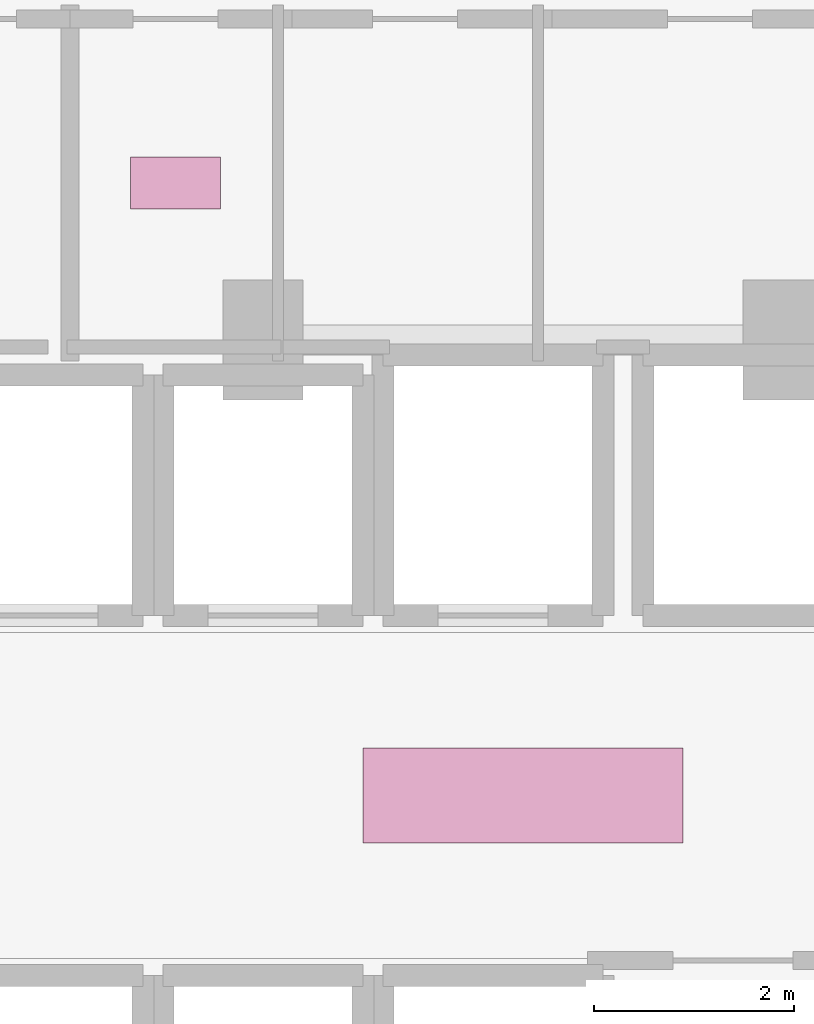
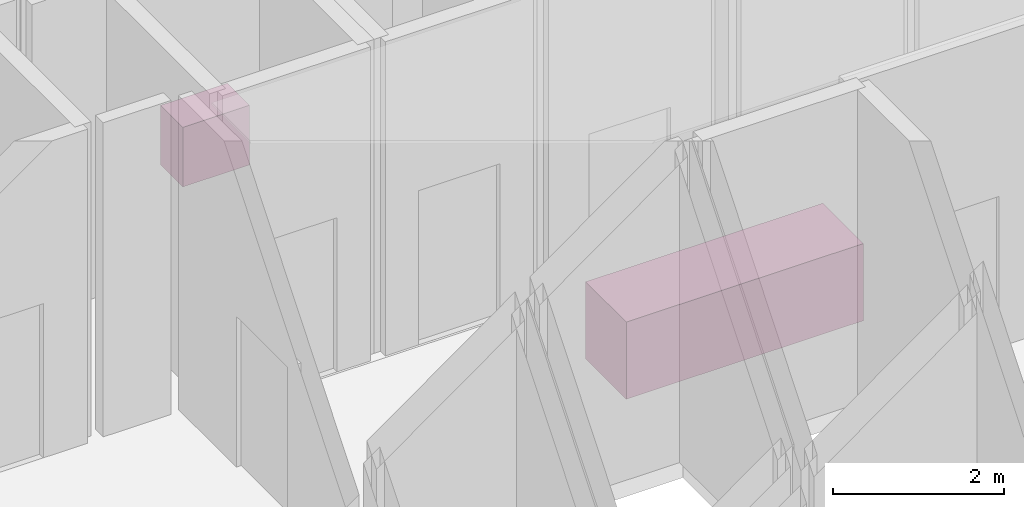
# One storey, part 30 of 30: 2 furnishings.
"""IFC4 building model written with IfcOpenShell, lengths in metres."""

from ifc_helpers import new_model, si_unit, direction, frame, origin, origin_2d, place, context, subcontext, project, spatial, rectangle, extrude, material, type_object, element, save


model = new_model("IFC4")

# Units and contexts
model_context = context("Model", 3, precision=1e-05, world=origin(), true_north=direction((0.0, 1.0)))
body_context = subcontext(model_context, "Body", "Model", "MODEL_VIEW")
ifc_project = project(units=[si_unit("LENGTHUNIT", "METRE"), si_unit("AREAUNIT", "SQUARE_METRE"), si_unit("VOLUMEUNIT", "CUBIC_METRE"), si_unit("PLANEANGLEUNIT", "RADIAN"), si_unit("MASSUNIT", "GRAM", prefix="KILO")], contexts=[model_context])

# Site, building, storey
site_placement = place(None, origin())
site = spatial("IfcSite", under=ifc_project, at=site_placement, CompositionType="ELEMENT")
building_placement = place(site_placement, origin())
building = spatial("IfcBuilding", under=site, at=building_placement, Name="Vorneva Point Tower", CompositionType="ELEMENT")
storey_placement = place(building_placement, frame((0.0, 0.0, 9.60009765625)))
storey = spatial("IfcBuildingStorey", under=building, at=storey_placement, Name="L02", CompositionType="ELEMENT", Elevation=9.60009765625)

# Furnishings
ifc_material_1 = material(Name="Engineered oak fire-rated door leaf", Category="wood")
furniture_type_1 = type_object("IfcFurnitureType", Name="FUR-DSK-3200", AssemblyPlace="NOTDEFINED", PredefinedType="NOTDEFINED", material=ifc_material_1)
furnishing_1_placement = place(storey_placement, frame((38.0, 26.0, -0.005126953125), z_axis=(0.0, 0.0, 1.0), x_axis=(1.0, 0.0, 0.0)))
element("IfcFurnishingElement", 1, at=furnishing_1_placement, inside=storey, type_object=furniture_type_1, Name="L02 Reception and Concierge Desk", ObjectType="L02 Reception and Concierge Desk", context=body_context, shape_type="SweptSolid", body=[
    extrude(rectangle(XDim=3.199951171875, YDim=0.949951171875, at=origin_2d()), origin(), (0.0, 0.0, 1.0), 1.10009765625),
])
ifc_material_2 = material(Name="Vitreous china and granite top", Category="masonry")
furniture_type_2 = type_object("IfcFurnitureType", Name="FUR-VAN-900", AssemblyPlace="NOTDEFINED", PredefinedType="NOTDEFINED", material=ifc_material_2)
furnishing_2_placement = place(storey_placement, frame((34.52490234375, 32.1201171875, -0.005126953125), z_axis=(0.0, 0.0, 1.0), x_axis=(1.0, 0.0, 0.0)))
element("IfcFurnishingElement", 2, at=furnishing_2_placement, inside=storey, type_object=furniture_type_2, Name="L02 Accessible WC Vanity Unit", ObjectType="L02 Accessible WC Vanity Unit", context=body_context, shape_type="SweptSolid", body=[
    extrude(rectangle(XDim=0.89990234375, YDim=0.52001953125, at=origin_2d()), origin(), (0.0, 0.0, 1.0), 0.85009765625),
])

save(model, "model.ifc")
